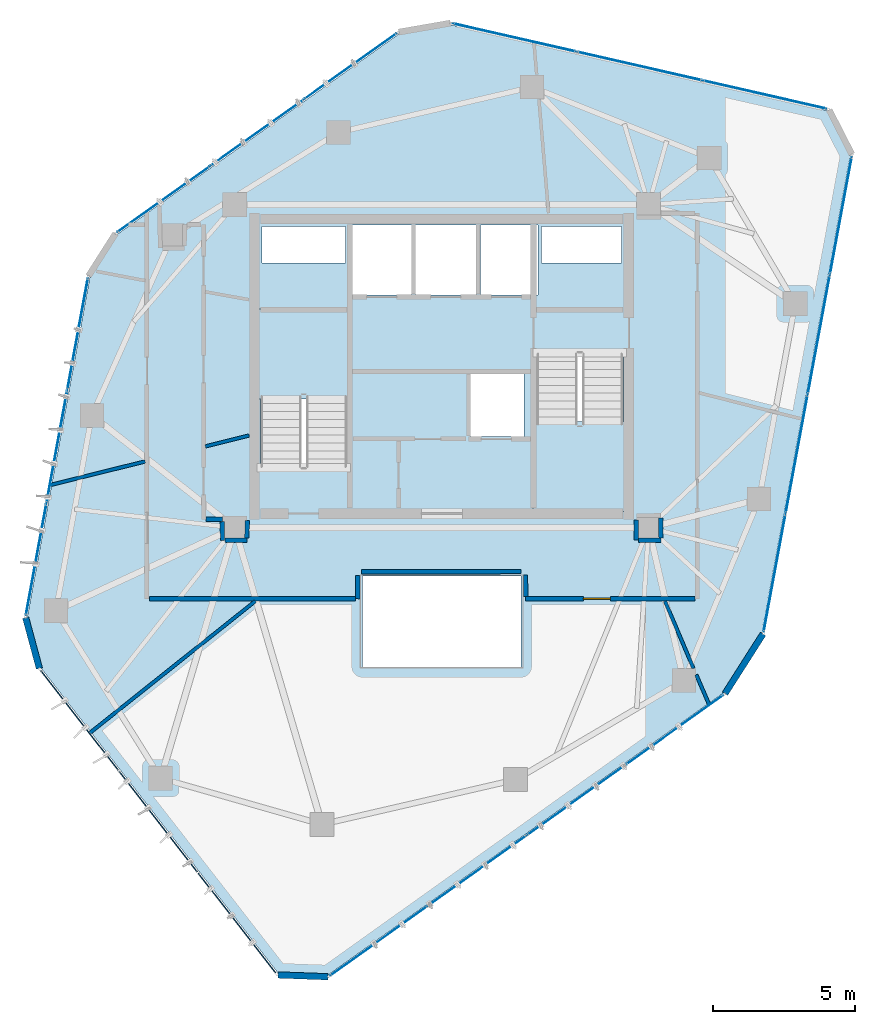
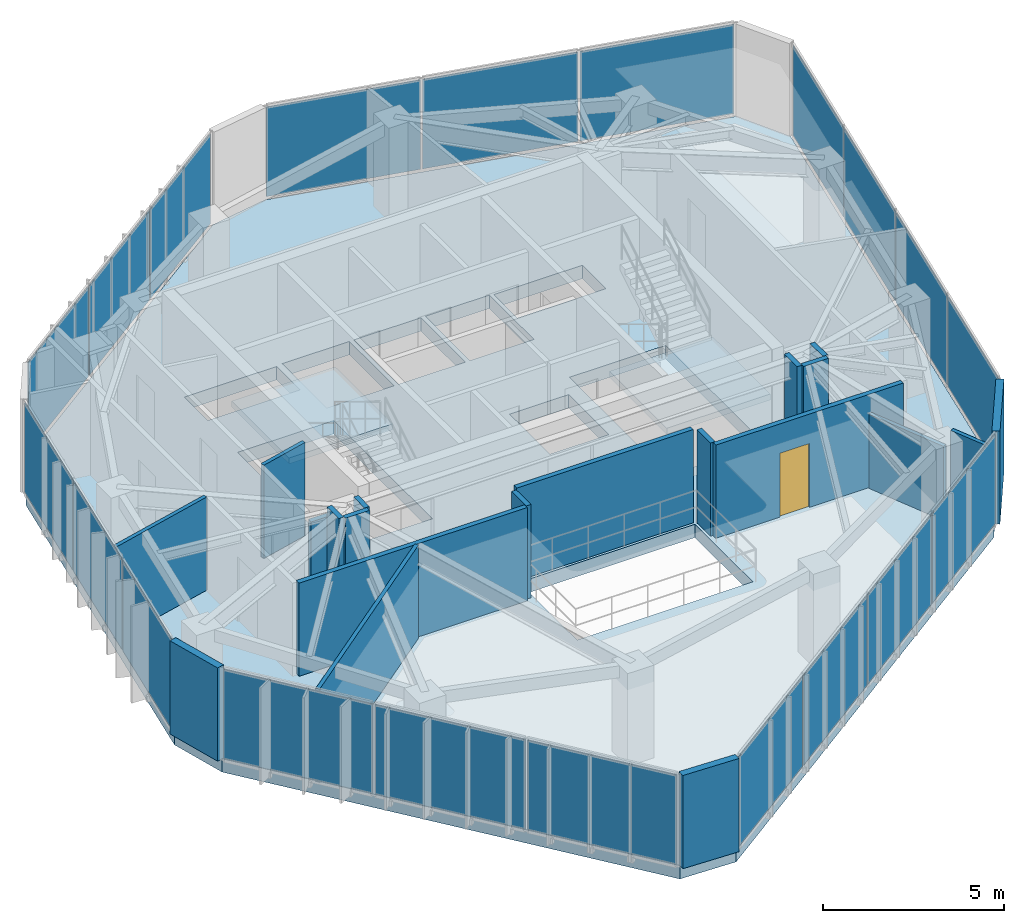
# One storey, part 15 of 19: 20 plates, 20 walls, 3 slabs, 1 door, 1 opening, 8 elements without a shape of their own.
"""IFC4 building model written with IfcOpenShell, lengths in metres."""

import ifcopenshell
import ifcopenshell.guid

model = None  # the IFC model being written
_history = None  # IfcOwnerHistory: only IFC2X3 demands one
_inside = {}  # id of a spatial element -> (the spatial element, [elements in it])
_under = {}  # id of a project, library or spatial element -> (it, [spatial elements below it])
_declared = {}  # id of a project -> (the project, [libraries it declares])
_typed = {}  # id of a type object -> (the type object, [elements of that type])
_made_of = {}  # id of a material, layer set ... -> (it, [elements and type objects made of it])


def new_model(schema):
    """Start an empty IFC model of exactly this schema.

    Asked for "IFC4X3", IfcOpenShell would pick the latest addendum, in which some entities
    have other attributes; the version numbers below select the first issue.
    IFC2X3 requires an IfcOwnerHistory on every rooted entity: one is made here for all.
    """
    global model, _history
    if schema == "IFC4X3":
        model = ifcopenshell.file(schema_version=(4, 3, 0, 0))
    else:
        model = ifcopenshell.file(schema=schema)
    _inside.clear()
    _under.clear()
    _declared.clear()
    _typed.clear()
    _made_of.clear()
    _history = None
    if model.schema == "IFC2X3":
        org = make("IfcOrganization", Name="unknown")
        user = make(
            "IfcPersonAndOrganization",
            ThePerson=make("IfcPerson", FamilyName="unknown"),
            TheOrganization=org,
        )
        app = make(
            "IfcApplication",
            ApplicationDeveloper=org,
            Version="unknown",
            ApplicationFullName="unknown",
            ApplicationIdentifier="unknown",
        )
        _history = make(
            "IfcOwnerHistory",
            OwningUser=user,
            OwningApplication=app,
            ChangeAction="ADDED",
            CreationDate=0,
        )
    return model


def make(cls, **values):
    """One entity of the class cls with the attributes given. An attribute that is None is left unset."""
    return model.create_entity(
        cls, **{name: value for name, value in values.items() if value is not None}
    )


def rooted(cls, **values):
    """An entity with a GlobalId (a new one), such as an element, a storey or a relation."""
    return make(cls, GlobalId=ifcopenshell.guid.new(), OwnerHistory=_history, **values)


def si_unit(unit_type, name, prefix=None):
    """IfcSIUnit, for example si_unit("LENGTHUNIT", "METRE", prefix="MILLI")."""
    return make("IfcSIUnit", UnitType=unit_type, Prefix=prefix, Name=name)


def assignment(units):
    """IfcUnitAssignment: the units of a project."""
    return None if units is None else make("IfcUnitAssignment", Units=units)


def point(xyz):
    """IfcCartesianPoint."""
    return None if xyz is None else make("IfcCartesianPoint", Coordinates=xyz)


def direction(xyz):
    """IfcDirection."""
    return None if xyz is None else make("IfcDirection", DirectionRatios=xyz)


def frame(location, z_axis=None, x_axis=None):
    """IfcAxis2Placement3D, a coordinate frame: its origin and axes. An axis left out is left unset."""
    return make(
        "IfcAxis2Placement3D",
        Location=point(location),
        Axis=direction(z_axis),
        RefDirection=direction(x_axis),
    )


def frame_2d(location, x_axis=None):
    """IfcAxis2Placement2D, a coordinate frame in the plane: its origin and x axis."""
    return make(
        "IfcAxis2Placement2D", Location=point(location), RefDirection=direction(x_axis)
    )


def origin():
    """The frame at (0, 0, 0) with its axes left unset."""
    return frame((0.0, 0.0, 0.0))


def origin_2d():
    """The frame at (0, 0) in the plane with its x axis left unset."""
    return frame_2d((0.0, 0.0))


def place(relative_to, where):
    """IfcLocalPlacement: puts the frame where relative to a parent placement (None: the world)."""
    return make(
        "IfcLocalPlacement", PlacementRelTo=relative_to, RelativePlacement=where
    )


def context(
    kind, dimensions, precision=None, world=None, true_north=None, identifier=None
):
    """IfcGeometricRepresentationContext, for example the 3D "Model" context."""
    return make(
        "IfcGeometricRepresentationContext",
        ContextIdentifier=identifier,
        ContextType=kind,
        CoordinateSpaceDimension=dimensions,
        Precision=precision,
        WorldCoordinateSystem=world,
        TrueNorth=true_north,
    )


def subcontext(parent, identifier, kind, view, scale=None):
    """IfcGeometricRepresentationSubContext, for example "Body" below "Model"."""
    return make(
        "IfcGeometricRepresentationSubContext",
        ContextIdentifier=identifier,
        ContextType=kind,
        ParentContext=parent,
        TargetScale=scale,
        TargetView=view,
    )


def project(units=None, contexts=None):
    """IfcProject with its units and contexts."""
    return rooted(
        "IfcProject",
        Name="project",
        RepresentationContexts=contexts,
        UnitsInContext=assignment(units),
    )


def spatial(cls, under=None, at=None, **own):
    """A site, building, storey or space (cls), placed at a placement, below another one or the project."""
    s = rooted(cls, ObjectPlacement=at, **own)
    if under is not None:
        _under.setdefault(under.id(), (under, []))[1].append(s)
    return s


def polyline(points):
    """IfcPolyline through the points."""
    return make("IfcPolyline", Points=[point(p) for p in points])


def profile(cls, at=None, kind="AREA", **sizes):
    """A parametric profile (cls). Its sizes go by their IFC names, for example OverallWidth=200.0."""
    return make(cls, ProfileType=kind, Position=at, **sizes)


def rectangle(**sizes):
    """IfcRectangleProfileDef."""
    return profile("IfcRectangleProfileDef", **sizes)


def outline(outer, holes=None, kind="AREA"):
    """IfcArbitraryClosedProfileDef: a profile drawn as a closed curve; with holes, ...WithVoids."""
    if holes is None:
        return make("IfcArbitraryClosedProfileDef", ProfileType=kind, OuterCurve=outer)
    return make(
        "IfcArbitraryProfileDefWithVoids",
        ProfileType=kind,
        OuterCurve=outer,
        InnerCurves=holes,
    )


def extrude(swept, where, along, depth):
    """IfcExtrudedAreaSolid: the profile swept, set in the frame where, extruded along a direction by depth."""
    return make(
        "IfcExtrudedAreaSolid",
        SweptArea=swept,
        Position=where,
        ExtrudedDirection=direction(along),
        Depth=depth,
    )


def shape(context_of_items, identifier, shape_type, items):
    """IfcShapeRepresentation: the items that make up one representation, for example the "Body"."""
    return make(
        "IfcShapeRepresentation",
        ContextOfItems=context_of_items,
        RepresentationIdentifier=identifier,
        RepresentationType=shape_type,
        Items=items,
    )


def source(mapping_origin, context_of_items, identifier, shape_type, items):
    """IfcRepresentationMap: a shape defined once, which mapped items show again and again."""
    return make(
        "IfcRepresentationMap",
        MappingOrigin=mapping_origin,
        MappedRepresentation=shape(context_of_items, identifier, shape_type, items),
    )


def transform(
    local_origin,
    x_axis=None,
    y_axis=None,
    z_axis=None,
    scale=None,
    scale2=None,
    scale3=None,
    uniform=True,
):
    """IfcCartesianTransformationOperator3D, or its non-uniform kind. x_axis, y_axis, z_axis: its Axis1, 2, 3."""
    if uniform:
        return make(
            "IfcCartesianTransformationOperator3D",
            Axis1=direction(x_axis),
            Axis2=direction(y_axis),
            LocalOrigin=point(local_origin),
            Scale=scale,
            Axis3=direction(z_axis),
        )
    return make(
        "IfcCartesianTransformationOperator3DnonUniform",
        Axis1=direction(x_axis),
        Axis2=direction(y_axis),
        LocalOrigin=point(local_origin),
        Scale=scale,
        Axis3=direction(z_axis),
        Scale2=scale2,
        Scale3=scale3,
    )


def mapped(mapping_source, mapping_target):
    """IfcMappedItem: shows the shape of a source again, moved by a transform."""
    return make(
        "IfcMappedItem", MappingSource=mapping_source, MappingTarget=mapping_target
    )


def material(Name=None, Category=None):
    """IfcMaterial."""
    return make("IfcMaterial", Name=Name, Category=Category)


def layer(
    of_material, thickness, ventilated=None, Name=None, Category=None, Priority=None
):
    """IfcMaterialLayer: one layer of a wall or slab, of a material (None: an air gap)."""
    return make(
        "IfcMaterialLayer",
        Material=of_material,
        LayerThickness=thickness,
        IsVentilated=ventilated,
        Name=Name,
        Category=Category,
        Priority=Priority,
    )


def layer_set(layers, Name=None):
    """IfcMaterialLayerSet."""
    return make("IfcMaterialLayerSet", MaterialLayers=layers, LayerSetName=Name)


def made_of(thing, what):
    """Note that an element or type object is made of a material, layer set ...; save() writes the relation."""
    if what is not None:
        _made_of.setdefault(what.id(), (what, []))[1].append(thing)
    return thing


def type_object(cls, material=None, **own):
    """A type object (cls), such as IfcWallType, which elements share."""
    return made_of(rooted(cls, **own), material)


def type_shapes(of_type, sources):
    """Give a type object the sources (RepresentationMaps) that its elements show as mapped items."""
    of_type.RepresentationMaps = sources


def element(
    cls,
    number,
    at=None,
    inside=None,
    cuts=None,
    type_object=None,
    material=None,
    context=None,
    identifier="Body",
    shape_type=None,
    held_by="IfcProductDefinitionShape",
    body=None,
    shapes=None,
    **own,
):
    """One element of the class cls, such as IfcWall. Its Tag is "e" and its number.

    at: its placement. inside: the storey or other place that contains it. cuts: it is an
    opening in that element (IfcRelVoidsElement). A single representation is given by context,
    identifier, shape_type and body (its items); several are given by shapes. held_by: the class
    of the entity that holds the representations. save() writes the other relations.
    """
    e = rooted(cls, Tag="e%d" % number, ObjectPlacement=at, **own)
    if body is not None:
        shapes = [shape(context, identifier, shape_type, body)]
    if shapes is not None:
        e.Representation = make(held_by, Representations=shapes)
    if inside is not None:
        _inside.setdefault(inside.id(), (inside, []))[1].append(e)
    if cuts is not None:
        rooted(
            "IfcRelVoidsElement", RelatingBuildingElement=cuts, RelatedOpeningElement=e
        )
    if type_object is not None:
        _typed.setdefault(type_object.id(), (type_object, []))[1].append(e)
    return made_of(e, material)


def fill(opening, filler):
    """IfcRelFillsElement: the door or window that sits in an opening."""
    return rooted(
        "IfcRelFillsElement",
        RelatingOpeningElement=opening,
        RelatedBuildingElement=filler,
    )


def aggregate(whole, parts):
    """IfcRelAggregates: a whole, such as a stair, and the parts it consists of."""
    return rooted("IfcRelAggregates", RelatingObject=whole, RelatedObjects=parts)


def save(model, path):
    """Write the relations noted so far, then the file.

    IfcRelAggregates (storeys below a building ...), IfcRelContainedInSpatialStructure (elements
    in a storey), IfcRelDefinesByType, IfcRelAssociatesMaterial and IfcRelDeclares: one each for
    every whole, place, type object, material and project.
    """
    for whole, parts in _under.values():
        aggregate(whole, parts)
    for where, things in _inside.values():
        rooted(
            "IfcRelContainedInSpatialStructure",
            RelatedElements=things,
            RelatingStructure=where,
        )
    for kind, things in _typed.values():
        rooted("IfcRelDefinesByType", RelatedObjects=things, RelatingType=kind)
    for what, things in _made_of.values():
        rooted("IfcRelAssociatesMaterial", RelatedObjects=things, RelatingMaterial=what)
    for by, libraries in _declared.values():
        rooted("IfcRelDeclares", RelatingContext=by, RelatedDefinitions=libraries)
    model.write(path)


model = new_model("IFC4")

# Units and contexts
model_context = context("Model", 3, precision=1e-05, world=origin(), true_north=direction((0.0, 1.0)))
body_context = subcontext(model_context, "Body", "Model", "MODEL_VIEW")
ifc_project = project(units=[si_unit("LENGTHUNIT", "METRE"), si_unit("AREAUNIT", "SQUARE_METRE"), si_unit("VOLUMEUNIT", "CUBIC_METRE"), si_unit("PLANEANGLEUNIT", "RADIAN"), si_unit("MASSUNIT", "GRAM", prefix="KILO")], contexts=[model_context])

# Site, building, storey
site_placement = place(None, origin())
site = spatial("IfcSite", under=ifc_project, at=site_placement, CompositionType="ELEMENT")
building_placement = place(site_placement, origin())
building = spatial("IfcBuilding", under=site, at=building_placement, Name="Talar Marvaseh", CompositionType="ELEMENT")
storey_placement = place(building_placement, frame((0.0, 0.0, 240.800048828125)))
storey = spatial("IfcBuildingStorey", under=building, at=storey_placement, Name="L63", CompositionType="ELEMENT", Elevation=240.800048828125)

# Stair, slab
ifc_material_1 = material(Name="Concrete C40/50", Category="concrete")
stair_type = type_object("IfcStairType", Name="Reinforced Concrete High-Rise Exit Stair Type C", PredefinedType="HALF_TURN_STAIR", material=ifc_material_1)
stair_1_placement = place(storey_placement, origin())
stair_1 = element("IfcStair", 1, at=stair_1_placement, inside=storey, type_object=stair_type, Name="L63 Tower West Core Exit Stair", PredefinedType="HALF_TURN_STAIR")
ifc_layer_1 = layer(ifc_material_1, 0.199951171875)
ifc_layer_set_1 = layer_set([ifc_layer_1], Name="Concrete C40/50")
slab_type_1 = type_object("IfcSlabType", Name="Reinforced Concrete Stair Half-Landing Slab 200", PredefinedType="LANDING", material=ifc_layer_set_1)
slab_1_placement = place(storey_placement, frame((0.0, 0.0, 1.5)))
slab_1 = element("IfcSlab", 2, at=slab_1_placement, type_object=slab_type_1, Name="ST-1 landing 1", PredefinedType="LANDING", context=body_context, shape_type="SweptSolid", body=[
    extrude(outline(polyline([(22.780029296875, 30.050048828125), (22.780029296875, 33.219970703125), (19.47998046875, 33.219970703125), (19.47998046875, 30.050048828125), (22.780029296875, 30.050048828125)])), origin(), (0.0, 0.0, 1.0), 0.199951171875),
])
aggregate(stair_1, [slab_1])

stair_2_placement = place(storey_placement, origin())
stair_2 = element("IfcStair", 3, at=stair_2_placement, inside=storey, type_object=stair_type, Name="L63 Tower East Core Exit Stair", PredefinedType="HALF_TURN_STAIR")
slab_2_placement = place(storey_placement, frame((0.0, 0.0, 1.5)))
slab_2 = element("IfcSlab", 4, at=slab_2_placement, type_object=slab_type_1, Name="ST-2 landing 1", PredefinedType="LANDING", context=body_context, shape_type="SweptSolid", body=[
    extrude(outline(polyline([(29.219970703125, 29.25), (29.219970703125, 26.080078125), (32.52001953125, 26.080078125), (32.52001953125, 29.25), (29.219970703125, 29.25)])), origin(), (0.0, 0.0, 1.0), 0.199951171875),
])
aggregate(stair_2, [slab_2])

# Slab
ifc_material_2 = material(Name="Concrete C60/75", Category="concrete")
ifc_layer_2 = layer(ifc_material_2, 0.449951171875)
ifc_layer_set_2 = layer_set([ifc_layer_2], Name="Concrete C60/75")
slab_type_2 = type_object("IfcSlabType", Name="Structural Suspended Floor Slab 450", PredefinedType="FLOOR", material=ifc_layer_set_2)
slab_3_placement = place(storey_placement, frame((0.0, 0.0, -0.449951171875)))
element("IfcSlab", 5, at=slab_3_placement, inside=storey, type_object=slab_type_2, Name="L63 Tower Floor Slab", PredefinedType="FLOOR", context=body_context, shape_type="SweptSolid", body=[
    extrude(outline(polyline([(21.987060546875, 9.723388671875), (20.230224609375, 9.787109375), (11.86474609375, 20.5537109375), (11.38037109375, 22.345947265625), (13.59033203125, 34.35009765625), (14.547119140625, 35.851806640625), (24.492431640625, 42.92822265625), (26.321533203125, 43.24658203125), (39.614990234375, 40.215087890625), (40.4150390625, 38.649658203125), (37.2880859375, 21.792236328125), (35.943603515625, 19.681884765625), (21.987060546875, 9.723388671875)]), holes=[polyline([(22.659912109375, 27.64990234375), (22.659912109375, 33.10009765625), (19.60009765625, 33.10009765625), (19.60009765625, 27.64990234375), (22.659912109375, 27.64990234375)]), polyline([(29.340087890625, 31.64990234375), (29.340087890625, 26.199951171875), (32.39990234375, 26.199951171875), (32.39990234375, 31.64990234375), (29.340087890625, 31.64990234375)]), polyline([(22.800048828125, 33.719970703125), (24.93994140625, 33.719970703125), (24.93994140625, 36.179931640625), (22.800048828125, 36.179931640625), (22.800048828125, 33.719970703125)]), polyline([(25.080078125, 33.719970703125), (27.219970703125, 33.719970703125), (27.219970703125, 36.179931640625), (25.080078125, 36.179931640625), (25.080078125, 33.719970703125)]), polyline([(27.360107421875, 33.719970703125), (29.39990234375, 33.719970703125), (29.39990234375, 36.179931640625), (27.360107421875, 36.179931640625), (27.360107421875, 33.719970703125)]), polyline([(27.02001953125, 28.719970703125), (28.89990234375, 28.719970703125), (28.89990234375, 30.93994140625), (27.02001953125, 30.93994140625), (27.02001953125, 28.719970703125)]), polyline([(19.659912109375, 34.840087890625), (22.60009765625, 34.840087890625), (22.60009765625, 36.139892578125), (19.659912109375, 36.139892578125), (19.659912109375, 34.840087890625)]), polyline([(29.52001953125, 34.840087890625), (32.340087890625, 34.840087890625), (32.340087890625, 36.139892578125), (29.52001953125, 36.139892578125), (29.52001953125, 34.840087890625)]), polyline([(23.199951171875, 20.60009765625), (28.800048828125, 20.60009765625), (28.800048828125, 23.800048828125), (23.199951171875, 23.800048828125), (23.199951171875, 20.60009765625)])]), origin(), (0.0, 0.0, 1.0), 0.449951171875),
])

# Curtain wall, plates
ifc_material_3 = material(Name="Architectural Aluminium", Category="aluminium")
ifc_layer_3 = layer(ifc_material_3, 0.179931640625)
ifc_layer_set_3 = layer_set([ifc_layer_3], Name="Architectural Aluminium")
curtain_wall_type = type_object("IfcCurtainWallType", Name="Unitised High-Wind Sky Curtain Wall Z4", PredefinedType="NOTDEFINED", material=ifc_layer_set_3)
curtain_wall_1_placement = place(storey_placement, origin())
curtain_wall_1 = element("IfcCurtainWall", 6, at=curtain_wall_1_placement, inside=storey, type_object=curtain_wall_type, Name="L63 Unitised High-Wind Sky Curtain Wall Z4", PredefinedType="NOTDEFINED")
ifc_material_4 = material(Name="Laminated Low-E Solar Glass", Category="glass")
ifc_layer_4 = layer(ifc_material_4, 0.028076171875)
ifc_layer_set_4 = layer_set([ifc_layer_4], Name="Laminated Low-E Solar Glass")
plate_type = type_object("IfcPlateType", Name="Double-Glazed Low-E Vision Curtain Panel 28", PredefinedType="CURTAIN_PANEL", material=ifc_layer_set_4)
shared_shape_1 = source(origin(), body_context, "Body", "SweptSolid", [
    extrude(rectangle(XDim=4.447509765625, YDim=0.028076171875, at=origin_2d()), origin(), (0.0, 0.0, 1.0), 3.010009765625),
])
plate_1_placement = place(storey_placement, frame((18.778564453125, 11.5576171875, 0.06494140625), z_axis=(0.0, 0.0, 1.0), x_axis=(-0.613543980526, 0.789660549831, 0.0)))
plate_1 = element("IfcPlate", 7, at=plate_1_placement, type_object=plate_type, Name="CW-Z4 panel 1.1", PredefinedType="CURTAIN_PANEL", context=body_context, shape_type="MappedRepresentation", body=[
    mapped(shared_shape_1, transform((0.0, 0.0, 0.0), x_axis=(1.0, 0.0, 0.0), y_axis=(0.0, 1.0, 0.0), z_axis=(0.0, 0.0, 1.0), scale=1.0)),
])
plate_2_placement = place(storey_placement, frame((13.221435546875, 18.709716796875, 0.06494140625), z_axis=(0.0, 0.0, 1.0), x_axis=(-0.613543980526, 0.789660549831, 0.0)))
plate_2 = element("IfcPlate", 8, at=plate_2_placement, type_object=plate_type, Name="CW-Z4 panel 3.1", PredefinedType="CURTAIN_PANEL", context=body_context, shape_type="MappedRepresentation", body=[
    mapped(shared_shape_1, transform((0.0, 0.0, 0.0), x_axis=(1.0, 0.0, 0.0), y_axis=(0.0, 1.0, 0.0), z_axis=(0.0, 0.0, 1.0), scale=1.0)),
])

curtain_wall_2_placement = place(storey_placement, origin())
curtain_wall_2 = element("IfcCurtainWall", 9, at=curtain_wall_2_placement, inside=storey, type_object=curtain_wall_type, Name="L63 Unitised High-Wind Sky Curtain Wall Z4", PredefinedType="NOTDEFINED")
plate_3_placement = place(storey_placement, frame((28.566162109375, 42.796142578125, 0.06494140625), z_axis=(0.0, 0.0, 1.0), x_axis=(0.97497013218, -0.2223358751, 0.0)))
plate_3 = element("IfcPlate", 10, at=plate_3_placement, type_object=plate_type, Name="CW-Z4 panel 1.1", PredefinedType="CURTAIN_PANEL", context=body_context, shape_type="MappedRepresentation", body=[
    mapped(shared_shape_1, transform((0.0, 0.0, 0.0), x_axis=(1.0, 0.0, 0.0), y_axis=(0.0, 1.0, 0.0), z_axis=(0.0, 0.0, 1.0), scale=1.0)),
])
plate_4_placement = place(storey_placement, frame((37.39697265625, 40.782470703125, 0.06494140625), z_axis=(0.0, 0.0, 1.0), x_axis=(0.97497013218, -0.2223358751, 0.0)))
plate_4 = element("IfcPlate", 11, at=plate_4_placement, type_object=plate_type, Name="CW-Z4 panel 3.1", PredefinedType="CURTAIN_PANEL", context=body_context, shape_type="MappedRepresentation", body=[
    mapped(shared_shape_1, transform((0.0, 0.0, 0.0), x_axis=(1.0, 0.0, 0.0), y_axis=(0.0, 1.0, 0.0), z_axis=(0.0, 0.0, 1.0), scale=1.0)),
])

# Plate
shared_shape_2 = source(origin(), body_context, "Body", "SweptSolid", [
    extrude(rectangle(XDim=4.47998046875, YDim=0.028076171875, at=origin_2d()), origin(), (0.0, 0.0, 1.0), 3.010009765625),
])
plate_5_placement = place(storey_placement, frame((16.0, 15.133544921875, 0.06494140625), z_axis=(0.0, 0.0, 1.0), x_axis=(-0.613543980526, 0.789660549831, 0.0)))
plate_5 = element("IfcPlate", 12, at=plate_5_placement, type_object=plate_type, Name="CW-Z4 panel 2.1", PredefinedType="CURTAIN_PANEL", context=body_context, shape_type="MappedRepresentation", body=[
    mapped(shared_shape_2, transform((0.0, 0.0, 0.0), x_axis=(1.0, 0.0, 0.0), y_axis=(0.0, 1.0, 0.0), z_axis=(0.0, 0.0, 1.0), scale=1.0)),
])

aggregate(curtain_wall_1, [plate_1, plate_5, plate_2])

plate_6_placement = place(storey_placement, frame((32.9814453125, 41.789306640625, 0.06494140625), z_axis=(0.0, 0.0, 1.0), x_axis=(0.97497013218, -0.2223358751, 0.0)))
plate_6 = element("IfcPlate", 13, at=plate_6_placement, type_object=plate_type, Name="CW-Z4 panel 2.1", PredefinedType="CURTAIN_PANEL", context=body_context, shape_type="MappedRepresentation", body=[
    mapped(shared_shape_2, transform((0.0, 0.0, 0.0), x_axis=(1.0, 0.0, 0.0), y_axis=(0.0, 1.0, 0.0), z_axis=(0.0, 0.0, 1.0), scale=1.0)),
])

aggregate(curtain_wall_2, [plate_3, plate_6, plate_4])

# Curtain wall, plates
curtain_wall_3_placement = place(storey_placement, origin())
curtain_wall_3 = element("IfcCurtainWall", 14, at=curtain_wall_3_placement, inside=storey, type_object=curtain_wall_type, Name="L63 Unitised High-Wind Sky Curtain Wall Z4", PredefinedType="NOTDEFINED")
shared_shape_3 = source(origin(), body_context, "Body", "SweptSolid", [
    extrude(rectangle(XDim=3.97119140625, YDim=0.028076171875, at=origin_2d()), origin(), (0.0, 0.0, 1.0), 3.010009765625),
])
plate_7_placement = place(storey_placement, frame((11.692626953125, 24.37353515625, 0.06494140625), z_axis=(0.0, 0.0, 1.0), x_axis=(0.181067342572, 0.983470699845, 0.0)))
plate_7 = element("IfcPlate", 15, at=plate_7_placement, type_object=plate_type, Name="CW-Z4 panel 1.1", PredefinedType="CURTAIN_PANEL", context=body_context, shape_type="MappedRepresentation", body=[
    mapped(shared_shape_3, transform((0.0, 0.0, 0.0), x_axis=(1.0, 0.0, 0.0), y_axis=(0.0, 1.0, 0.0), z_axis=(0.0, 0.0, 1.0), scale=1.0)),
])
plate_8_placement = place(storey_placement, frame((13.16015625, 32.344482421875, 0.06494140625), z_axis=(0.0, 0.0, 1.0), x_axis=(0.181067342572, 0.983470699845, 0.0)))
plate_8 = element("IfcPlate", 16, at=plate_8_placement, type_object=plate_type, Name="CW-Z4 panel 3.1", PredefinedType="CURTAIN_PANEL", context=body_context, shape_type="MappedRepresentation", body=[
    mapped(shared_shape_3, transform((0.0, 0.0, 0.0), x_axis=(1.0, 0.0, 0.0), y_axis=(0.0, 1.0, 0.0), z_axis=(0.0, 0.0, 1.0), scale=1.0)),
])

curtain_wall_4_placement = place(storey_placement, origin())
curtain_wall_4 = element("IfcCurtainWall", 17, at=curtain_wall_4_placement, inside=storey, type_object=curtain_wall_type, Name="L63 Unitised High-Wind Sky Curtain Wall Z4", PredefinedType="NOTDEFINED")
plate_9_placement = place(storey_placement, frame((16.18310546875, 37.089599609375, 0.06494140625), z_axis=(0.0, 0.0, 1.0), x_axis=(0.814799920887, 0.57974226077, 0.0)))
plate_9 = element("IfcPlate", 18, at=plate_9_placement, type_object=plate_type, Name="CW-Z4 panel 1.1", PredefinedType="CURTAIN_PANEL", context=body_context, shape_type="MappedRepresentation", body=[
    mapped(shared_shape_3, transform((0.0, 0.0, 0.0), x_axis=(1.0, 0.0, 0.0), y_axis=(0.0, 1.0, 0.0), z_axis=(0.0, 0.0, 1.0), scale=1.0)),
])
plate_10_placement = place(storey_placement, frame((22.786865234375, 41.788330078125, 0.06494140625), z_axis=(0.0, 0.0, 1.0), x_axis=(0.814799920887, 0.57974226077, 0.0)))
plate_10 = element("IfcPlate", 19, at=plate_10_placement, type_object=plate_type, Name="CW-Z4 panel 3.1", PredefinedType="CURTAIN_PANEL", context=body_context, shape_type="MappedRepresentation", body=[
    mapped(shared_shape_3, transform((0.0, 0.0, 0.0), x_axis=(1.0, 0.0, 0.0), y_axis=(0.0, 1.0, 0.0), z_axis=(0.0, 0.0, 1.0), scale=1.0)),
])

# Plate
shared_shape_4 = source(origin(), body_context, "Body", "SweptSolid", [
    extrude(rectangle(XDim=4.003662109375, YDim=0.028076171875, at=origin_2d()), origin(), (0.0, 0.0, 1.0), 3.010009765625),
])
plate_11_placement = place(storey_placement, frame((12.42626953125, 28.35888671875, 0.06494140625), z_axis=(0.0, 0.0, 1.0), x_axis=(0.181067342572, 0.983470699845, 0.0)))
plate_11 = element("IfcPlate", 20, at=plate_11_placement, type_object=plate_type, Name="CW-Z4 panel 2.1", PredefinedType="CURTAIN_PANEL", context=body_context, shape_type="MappedRepresentation", body=[
    mapped(shared_shape_4, transform((0.0, 0.0, 0.0), x_axis=(1.0, 0.0, 0.0), y_axis=(0.0, 1.0, 0.0), z_axis=(0.0, 0.0, 1.0), scale=1.0)),
])

aggregate(curtain_wall_3, [plate_7, plate_11, plate_8])

plate_12_placement = place(storey_placement, frame((19.485107421875, 39.43896484375, 0.06494140625), z_axis=(0.0, 0.0, 1.0), x_axis=(0.814799920887, 0.57974226077, 0.0)))
plate_12 = element("IfcPlate", 21, at=plate_12_placement, type_object=plate_type, Name="CW-Z4 panel 2.1", PredefinedType="CURTAIN_PANEL", context=body_context, shape_type="MappedRepresentation", body=[
    mapped(shared_shape_4, transform((0.0, 0.0, 0.0), x_axis=(1.0, 0.0, 0.0), y_axis=(0.0, 1.0, 0.0), z_axis=(0.0, 0.0, 1.0), scale=1.0)),
])

aggregate(curtain_wall_4, [plate_9, plate_12, plate_10])

# Curtain wall, plates
curtain_wall_5_placement = place(storey_placement, origin())
curtain_wall_5 = element("IfcCurtainWall", 22, at=curtain_wall_5_placement, inside=storey, type_object=curtain_wall_type, Name="L63 Unitised High-Wind Sky Curtain Wall Z4", PredefinedType="NOTDEFINED")
shared_shape_5 = source(origin(), body_context, "Body", "SweptSolid", [
    extrude(rectangle(XDim=4.188720703125, YDim=0.028076171875, at=origin_2d()), origin(), (0.0, 0.0, 1.0), 3.010009765625),
])
plate_13_placement = place(storey_placement, frame((40.080322265625, 36.515625, 0.06494140625), z_axis=(0.0, 0.0, 1.0), x_axis=(-0.182385833354, -0.983227037765, 0.0)))
plate_13 = element("IfcPlate", 23, at=plate_13_placement, type_object=plate_type, Name="CW-Z4 panel 1.1", PredefinedType="CURTAIN_PANEL", context=body_context, shape_type="MappedRepresentation", body=[
    mapped(shared_shape_5, transform((0.0, 0.0, 0.0), x_axis=(1.0, 0.0, 0.0), y_axis=(0.0, 1.0, 0.0), z_axis=(0.0, 0.0, 1.0), scale=1.0)),
])
plate_14_placement = place(storey_placement, frame((37.740966796875, 23.904541015625, 0.06494140625), z_axis=(0.0, 0.0, 1.0), x_axis=(-0.182385833354, -0.983227037765, 0.0)))
plate_14 = element("IfcPlate", 24, at=plate_14_placement, type_object=plate_type, Name="CW-Z4 panel 4.1", PredefinedType="CURTAIN_PANEL", context=body_context, shape_type="MappedRepresentation", body=[
    mapped(shared_shape_5, transform((0.0, 0.0, 0.0), x_axis=(1.0, 0.0, 0.0), y_axis=(0.0, 1.0, 0.0), z_axis=(0.0, 0.0, 1.0), scale=1.0)),
])

curtain_wall_6_placement = place(storey_placement, origin())
curtain_wall_6 = element("IfcCurtainWall", 25, at=curtain_wall_6_placement, inside=storey, type_object=curtain_wall_type, Name="L63 Unitised High-Wind Sky Curtain Wall Z4", PredefinedType="NOTDEFINED")
plate_15_placement = place(storey_placement, frame((34.220458984375, 18.378662109375, 0.06494140625), z_axis=(0.0, 0.0, 1.0), x_axis=(-0.814023816251, -0.580831495854, 0.0)))
plate_15 = element("IfcPlate", 26, at=plate_15_placement, type_object=plate_type, Name="CW-Z4 panel 1.1", PredefinedType="CURTAIN_PANEL", context=body_context, shape_type="MappedRepresentation", body=[
    mapped(shared_shape_5, transform((0.0, 0.0, 0.0), x_axis=(1.0, 0.0, 0.0), y_axis=(0.0, 1.0, 0.0), z_axis=(0.0, 0.0, 1.0), scale=1.0)),
])
plate_16_placement = place(storey_placement, frame((23.779541015625, 10.928955078125, 0.06494140625), z_axis=(0.0, 0.0, 1.0), x_axis=(-0.814023816251, -0.580831495854, 0.0)))
plate_16 = element("IfcPlate", 27, at=plate_16_placement, type_object=plate_type, Name="CW-Z4 panel 4.1", PredefinedType="CURTAIN_PANEL", context=body_context, shape_type="MappedRepresentation", body=[
    mapped(shared_shape_5, transform((0.0, 0.0, 0.0), x_axis=(1.0, 0.0, 0.0), y_axis=(0.0, 1.0, 0.0), z_axis=(0.0, 0.0, 1.0), scale=1.0)),
])

# Plate
shared_shape_6 = source(origin(), body_context, "Body", "SweptSolid", [
    extrude(rectangle(XDim=4.22119140625, YDim=0.028076171875, at=origin_2d()), origin(), (0.0, 0.0, 1.0), 3.010009765625),
])
type_shapes(plate_type, [shared_shape_1, shared_shape_2, shared_shape_3, shared_shape_4, shared_shape_5, shared_shape_6])
plate_17_placement = place(storey_placement, frame((39.301513671875, 32.3173828125, 0.06494140625), z_axis=(0.0, 0.0, 1.0), x_axis=(-0.182385833354, -0.983227037765, 0.0)))
plate_17 = element("IfcPlate", 28, at=plate_17_placement, type_object=plate_type, Name="CW-Z4 panel 2.1", PredefinedType="CURTAIN_PANEL", context=body_context, shape_type="MappedRepresentation", body=[
    mapped(shared_shape_6, transform((0.0, 0.0, 0.0), x_axis=(1.0, 0.0, 0.0), y_axis=(0.0, 1.0, 0.0), z_axis=(0.0, 0.0, 1.0), scale=1.0)),
])

plate_18_placement = place(storey_placement, frame((38.519775390625, 28.10302734375, 0.06494140625), z_axis=(0.0, 0.0, 1.0), x_axis=(-0.182385833354, -0.983227037765, 0.0)))
plate_18 = element("IfcPlate", 29, at=plate_18_placement, type_object=plate_type, Name="CW-Z4 panel 3.1", PredefinedType="CURTAIN_PANEL", context=body_context, shape_type="MappedRepresentation", body=[
    mapped(shared_shape_6, transform((0.0, 0.0, 0.0), x_axis=(1.0, 0.0, 0.0), y_axis=(0.0, 1.0, 0.0), z_axis=(0.0, 0.0, 1.0), scale=1.0)),
])

aggregate(curtain_wall_5, [plate_13, plate_17, plate_18, plate_14])

plate_19_placement = place(storey_placement, frame((30.74462890625, 15.898681640625, 0.06494140625), z_axis=(0.0, 0.0, 1.0), x_axis=(-0.814023816251, -0.580831495854, 0.0)))
plate_19 = element("IfcPlate", 30, at=plate_19_placement, type_object=plate_type, Name="CW-Z4 panel 2.1", PredefinedType="CURTAIN_PANEL", context=body_context, shape_type="MappedRepresentation", body=[
    mapped(shared_shape_6, transform((0.0, 0.0, 0.0), x_axis=(1.0, 0.0, 0.0), y_axis=(0.0, 1.0, 0.0), z_axis=(0.0, 0.0, 1.0), scale=1.0)),
])

plate_20_placement = place(storey_placement, frame((27.25537109375, 13.408935546875, 0.06494140625), z_axis=(0.0, 0.0, 1.0), x_axis=(-0.814023816251, -0.580831495854, 0.0)))
plate_20 = element("IfcPlate", 31, at=plate_20_placement, type_object=plate_type, Name="CW-Z4 panel 3.1", PredefinedType="CURTAIN_PANEL", context=body_context, shape_type="MappedRepresentation", body=[
    mapped(shared_shape_6, transform((0.0, 0.0, 0.0), x_axis=(1.0, 0.0, 0.0), y_axis=(0.0, 1.0, 0.0), z_axis=(0.0, 0.0, 1.0), scale=1.0)),
])

aggregate(curtain_wall_6, [plate_15, plate_19, plate_20, plate_16])

# Walls
ifc_material_5 = material(Name="Precast concrete C45/55", Category="concrete")
ifc_layer_5 = layer(ifc_material_5, 0.22509765625)
ifc_layer_set_5 = layer_set([ifc_layer_5], Name="Precast concrete C45/55")
wall_type_1 = type_object("IfcWallType", Name="Chamfered Hexagonal Corner Pier Wall Z4 225", PredefinedType="SOLIDWALL", material=ifc_layer_set_5)
wall_1_placement = place(storey_placement, frame((21.98486328125, 9.663330078125, 0.0), z_axis=(0.0, 0.0, 1.0), x_axis=(-0.999342886372, 0.036246316473, 0.0)))
element("IfcWall", 32, at=wall_1_placement, inside=storey, type_object=wall_type_1, Name="L63 Chamfered Corner Limestone Pier 1", PredefinedType="SOLIDWALL", context=body_context, shape_type="SweptSolid", body=[
    extrude(rectangle(XDim=1.758056640625, YDim=0.22509765625, at=frame_2d((0.87890625, 0.0))), origin(), (0.0, 0.0, 1.0), 3.139892578125),
])
wall_2_placement = place(storey_placement, frame((11.806884765625, 20.5380859375, 0.0), z_axis=(0.0, 0.0, 1.0), x_axis=(-0.26090240074, 0.965365183383, 0.0)))
element("IfcWall", 33, at=wall_2_placement, inside=storey, type_object=wall_type_1, Name="L63 Chamfered Corner Limestone Pier 2", PredefinedType="SOLIDWALL", context=body_context, shape_type="SweptSolid", body=[
    extrude(rectangle(XDim=1.8564453125, YDim=0.22509765625, at=frame_2d((0.92822265625, 0.0))), origin(), (0.0, 0.0, 1.0), 3.139892578125),
])
wall_3_placement = place(storey_placement, frame((37.338623046875, 21.760009765625, 0.0), z_axis=(0.0, 0.0, 1.0), x_axis=(-0.537311036341, -0.843384165269, 0.0)))
element("IfcWall", 34, at=wall_3_placement, inside=storey, type_object=wall_type_1, Name="L63 Chamfered Corner Limestone Pier 6", PredefinedType="SOLIDWALL", context=body_context, shape_type="SweptSolid", body=[
    extrude(rectangle(XDim=2.502197265625, YDim=0.22509765625, at=frame_2d((1.2509765625, 0.0))), origin(), (0.0, 0.0, 1.0), 3.139892578125),
])

# Wall, opening, door
ifc_material_6 = material(Name="Gypsum Board Partition Assembly")
ifc_layer_6 = layer(ifc_material_6, 0.155029296875)
ifc_layer_set_6 = layer_set([ifc_layer_6], Name="Gypsum Board Partition Assembly")
wall_type_2 = type_object("IfcWallType", Name="Corridor Fire-Rated Acoustic Partition 155", PredefinedType="PARTITIONING", material=ifc_layer_set_6)
wall_4_placement = place(storey_placement, frame((34.9365234375, 23.0, 0.0), z_axis=(0.0, 0.0, 1.0), x_axis=(-1.0, 0.0, 0.0)))
wall_4 = element("IfcWall", 35, at=wall_4_placement, inside=storey, type_object=wall_type_2, Name="L63 Interior Partition Wall", PredefinedType="PARTITIONING", context=body_context, shape_type="SweptSolid", body=[
    extrude(rectangle(XDim=5.9765625, YDim=0.155029296875, at=frame_2d((2.98828125, 0.0))), origin(), (0.0, 0.0, 1.0), 3.139892578125),
])
opening_placement = place(wall_4_placement, frame((2.9873046875, 0.0, 0.0)))
opening = element("IfcOpeningElement", 36, at=opening_placement, cuts=wall_4, Name="Opening DR-WC095", PredefinedType="OPENING", context=body_context, shape_type="SweptSolid", body=[
    extrude(rectangle(XDim=0.949951171875, YDim=2.14990234375, at=frame_2d((0.47509765625, 1.074951171875))), frame((0.0, 0.08740234375, 0.0), z_axis=(0.0, -1.0, 0.0), x_axis=(1.0, 0.0, 0.0)), (0.0, 0.0, 1.0), 0.175048828125),
])
ifc_material_7 = material(Name="Acoustic Engineered Oak Timber", Category="wood")
door_type = type_object("IfcDoorType", Name="Washroom and Service Room Door 950x2150", OperationType="NOTDEFINED", PredefinedType="DOOR", material=ifc_material_7)
shared_shape_7 = source(origin(), body_context, "Body", "SweptSolid", [
    extrude(rectangle(XDim=0.949951171875, YDim=2.14990234375, at=frame_2d((0.47509765625, 1.074951171875))), frame((0.0, 0.02490234375, 0.0), z_axis=(0.0, -1.0, 0.0), x_axis=(1.0, 0.0, 0.0)), (0.0, 0.0, 1.0), 0.050048828125),
])
type_shapes(door_type, [shared_shape_7])
door_placement = place(opening_placement, origin())
door = element("IfcDoor", 37, at=door_placement, inside=storey, type_object=door_type, Name="L63 Hospitality Tea Pantry Door", OperationType="SINGLE_SWING_RIGHT", OverallHeight=2.14990234375, OverallWidth=0.949951171875, PredefinedType="DOOR", context=body_context, shape_type="MappedRepresentation", body=[
    mapped(shared_shape_7, transform((0.0, 0.0, 0.0), x_axis=(1.0, 0.0, 0.0), y_axis=(0.0, 1.0, 0.0), z_axis=(0.0, 0.0, 1.0), scale=1.0)),
])
fill(opening, door)

# Walls
wall_5_placement = place(storey_placement, frame((17.68359375, 25.800048828125, 0.0), z_axis=(0.0, 0.0, 1.0), x_axis=(1.0, 0.0, 0.0)))
element("IfcWall", 38, at=wall_5_placement, inside=storey, type_object=wall_type_2, Name="L63 Interior Partition Wall", PredefinedType="PARTITIONING", context=body_context, shape_type="SweptSolid", body=[
    extrude(rectangle(XDim=0.576416015625, YDim=0.155029296875, at=frame_2d((0.2880859375, 0.0))), origin(), (0.0, 0.0, 1.0), 2.802001953125),
])
wall_6_placement = place(storey_placement, frame((18.260986328125, 25.716552734375, 0.0), z_axis=(0.0, 0.0, 1.0), x_axis=(0.010439401276, -0.999945507966, 0.0)))
element("IfcWall", 39, at=wall_6_placement, inside=storey, type_object=wall_type_2, Name="L63 Interior Partition Wall", PredefinedType="PARTITIONING", context=body_context, shape_type="SweptSolid", body=[
    extrude(rectangle(XDim=0.65478515625, YDim=0.155029296875, at=frame_2d((0.327392578125, 0.0))), origin(), (0.0, 0.0, 1.0), 3.139892578125),
])
wall_7_placement = place(storey_placement, frame((18.351318359375, 25.0615234375, 0.0), z_axis=(0.0, 0.0, 1.0), x_axis=(0.999998207633, -0.001893338355, 0.0)))
element("IfcWall", 40, at=wall_7_placement, inside=storey, type_object=wall_type_2, Name="L63 Interior Partition Wall", PredefinedType="PARTITIONING", context=body_context, shape_type="SweptSolid", body=[
    extrude(rectangle(XDim=0.773681640625, YDim=0.155029296875, at=frame_2d((0.38671875, 0.0))), origin(), (0.0, 0.0, 1.0), 3.139892578125),
])
wall_8_placement = place(storey_placement, frame((19.126708984375, 25.1435546875, 0.0), z_axis=(0.0, 0.0, 1.0), x_axis=(0.021238324089, 0.999774441357, 0.0)))
element("IfcWall", 41, at=wall_8_placement, inside=storey, type_object=wall_type_2, Name="L63 Interior Partition Wall", PredefinedType="PARTITIONING", context=body_context, shape_type="SweptSolid", body=[
    extrude(rectangle(XDim=0.620849609375, YDim=0.155029296875, at=frame_2d((0.310546875, 0.0))), origin(), (0.0, 0.0, 1.0), 3.139892578125),
])
wall_9_placement = place(storey_placement, frame((28.959716796875, 23.08349609375, 0.0), z_axis=(0.0, 0.0, 1.0), x_axis=(-0.003917697652, 0.999992325793, 0.0)))
element("IfcWall", 42, at=wall_9_placement, inside=storey, type_object=wall_type_2, Name="L63 Interior Partition Wall", PredefinedType="PARTITIONING", context=body_context, shape_type="SweptSolid", body=[
    extrude(rectangle(XDim=0.747802734375, YDim=0.155029296875, at=frame_2d((0.3740234375, 0.0))), origin(), (0.0, 0.0, 1.0), 3.139892578125),
])
wall_10_placement = place(storey_placement, frame((28.800048828125, 23.9599609375, 0.0), z_axis=(0.0, 0.0, 1.0), x_axis=(-0.999999841177, -0.000563600015, 0.0)))
element("IfcWall", 43, at=wall_10_placement, inside=storey, type_object=wall_type_2, Name="L63 Interior Partition Wall", PredefinedType="PARTITIONING", context=body_context, shape_type="SweptSolid", body=[
    extrude(rectangle(XDim=5.63134765625, YDim=0.155029296875, at=frame_2d((2.815673828125, 0.0))), origin(), (0.0, 0.0, 1.0), 3.139892578125),
])
wall_11_placement = place(storey_placement, frame((23.040771484375, 23.815673828125, 0.0), z_axis=(0.0, 0.0, 1.0), x_axis=(-0.000897934388, -0.999999596857, 0.0)))
element("IfcWall", 44, at=wall_11_placement, inside=storey, type_object=wall_type_2, Name="L63 Interior Partition Wall", PredefinedType="PARTITIONING", context=body_context, shape_type="SweptSolid", body=[
    extrude(rectangle(XDim=0.815673828125, YDim=0.155029296875, at=frame_2d((0.40771484375, 0.0))), origin(), (0.0, 0.0, 1.0), 3.139892578125),
])
wall_12_placement = place(storey_placement, frame((22.95654296875, 23.0, 0.0), z_axis=(0.0, 0.0, 1.0), x_axis=(-1.0, 0.0, 0.0)))
element("IfcWall", 45, at=wall_12_placement, inside=storey, type_object=wall_type_2, Name="L63 Interior Partition Wall", PredefinedType="PARTITIONING", context=body_context, shape_type="SweptSolid", body=[
    extrude(rectangle(XDim=7.27294921875, YDim=0.155029296875, at=frame_2d((3.636474609375, 0.0))), origin(), (0.0, 0.0, 1.0), 3.139892578125),
])
wall_13_placement = place(storey_placement, frame((32.864501953125, 25.772705078125, 0.0), z_axis=(0.0, 0.0, 1.0), x_axis=(0.0, -1.0, 0.0)))
element("IfcWall", 46, at=wall_13_placement, inside=storey, type_object=wall_type_2, Name="L63 Interior Partition Wall", PredefinedType="PARTITIONING", context=body_context, shape_type="SweptSolid", body=[
    extrude(rectangle(XDim=0.708251953125, YDim=0.155029296875, at=frame_2d((0.35400390625, 0.0))), origin(), (0.0, 0.0, 1.0), 3.139892578125),
])
wall_14_placement = place(storey_placement, frame((32.947998046875, 25.064453125, 0.0), z_axis=(0.0, 0.0, 1.0), x_axis=(1.0, 0.0, 0.0)))
element("IfcWall", 47, at=wall_14_placement, inside=storey, type_object=wall_type_2, Name="L63 Interior Partition Wall", PredefinedType="PARTITIONING", context=body_context, shape_type="SweptSolid", body=[
    extrude(rectangle(XDim=0.78759765625, YDim=0.155029296875, at=frame_2d((0.393798828125, 0.0))), origin(), (0.0, 0.0, 1.0), 3.139892578125),
])
wall_15_placement = place(storey_placement, frame((33.734619140625, 25.14794921875, 0.0), z_axis=(0.0, 0.0, 1.0), x_axis=(-0.012059770759, 0.99992727832, 0.0)))
element("IfcWall", 48, at=wall_15_placement, inside=storey, type_object=wall_type_2, Name="L63 Interior Partition Wall", PredefinedType="PARTITIONING", context=body_context, shape_type="SweptSolid", body=[
    extrude(rectangle(XDim=0.70849609375, YDim=0.155029296875, at=frame_2d((0.354248046875, 0.0))), origin(), (0.0, 0.0, 1.0), 3.139892578125),
])
ifc_layer_7 = layer(ifc_material_6, 0.1201171875)
ifc_layer_set_7 = layer_set([ifc_layer_7], Name="Gypsum Board Partition Assembly")
wall_type_3 = type_object("IfcWallType", Name="Demountable Studio Room Partition 120", PredefinedType="PARTITIONING", material=ifc_layer_set_7)
wall_16_placement = place(storey_placement, frame((17.6630859375, 28.375732421875, 0.0), z_axis=(0.0, 0.0, 1.0), x_axis=(0.970133434071, 0.242571886454, 0.0)))
element("IfcWall", 49, at=wall_16_placement, inside=storey, type_object=wall_type_3, Name="L63 Interior Partition Wall", PredefinedType="PARTITIONING", context=body_context, shape_type="SweptSolid", body=[
    extrude(rectangle(XDim=1.584228515625, YDim=0.1201171875, at=frame_2d((0.7919921875, 0.0))), origin(), (0.0, 0.0, 1.0), 3.139892578125),
])
wall_17_placement = place(storey_placement, frame((19.42529296875, 22.91650390625, 0.0), z_axis=(0.0, 0.0, 1.0), x_axis=(-0.782189709821, -0.623040334047, 0.0)))
element("IfcWall", 50, at=wall_17_placement, inside=storey, type_object=wall_type_3, Name="L63 Interior Partition Wall", PredefinedType="PARTITIONING", context=body_context, shape_type="SweptSolid", body=[
    extrude(rectangle(XDim=7.455322265625, YDim=0.1201171875, at=frame_2d((3.7275390625, 0.0))), origin(), (0.0, 0.0, 1.0), 3.139892578125),
])
wall_18_placement = place(storey_placement, frame((12.20166015625, 27.01318359375, 0.0), z_axis=(0.0, 0.0, 1.0), x_axis=(0.970330227167, 0.241783478023, 0.0)))
element("IfcWall", 51, at=wall_18_placement, inside=storey, type_object=wall_type_3, Name="L63 Interior Partition Wall", PredefinedType="PARTITIONING", context=body_context, shape_type="SweptSolid", body=[
    extrude(rectangle(XDim=3.437255859375, YDim=0.1201171875, at=frame_2d((1.71875, 0.0))), origin(), (0.0, 0.0, 1.0), 3.139892578125),
])
wall_19_placement = place(storey_placement, frame((33.87548828125, 22.91650390625, 0.0), z_axis=(0.0, 0.0, 1.0), x_axis=(0.390696173122, -0.920519690342, 0.0)))
element("IfcWall", 52, at=wall_19_placement, inside=storey, type_object=wall_type_3, Name="L63 Interior Partition Wall", PredefinedType="PARTITIONING", context=body_context, shape_type="SweptSolid", body=[
    extrude(rectangle(XDim=2.57080078125, YDim=0.1201171875, at=frame_2d((1.285400390625, 0.0))), origin(), (0.0, 0.0, 1.0), 2.498046875),
])
wall_20_placement = place(storey_placement, frame((34.97998046875, 20.320068359375, 0.0), z_axis=(0.0, 0.0, 1.0), x_axis=(0.396321173889, -0.918111936055, 0.0)))
element("IfcWall", 53, at=wall_20_placement, inside=storey, type_object=wall_type_3, Name="L63 Interior Partition Wall", PredefinedType="PARTITIONING", context=body_context, shape_type="SweptSolid", body=[
    extrude(rectangle(XDim=1.14013671875, YDim=0.1201171875, at=frame_2d((0.570068359375, 0.0))), origin(), (0.0, 0.0, 1.0), 3.139892578125),
])

save(model, "model.ifc")
